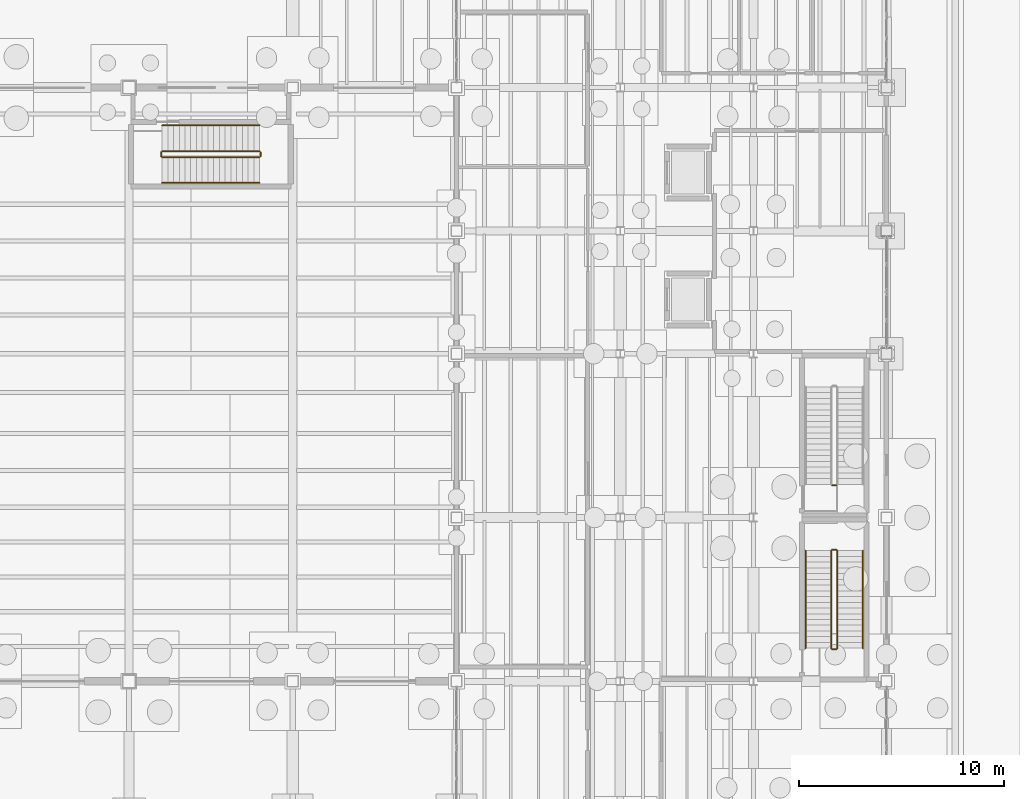
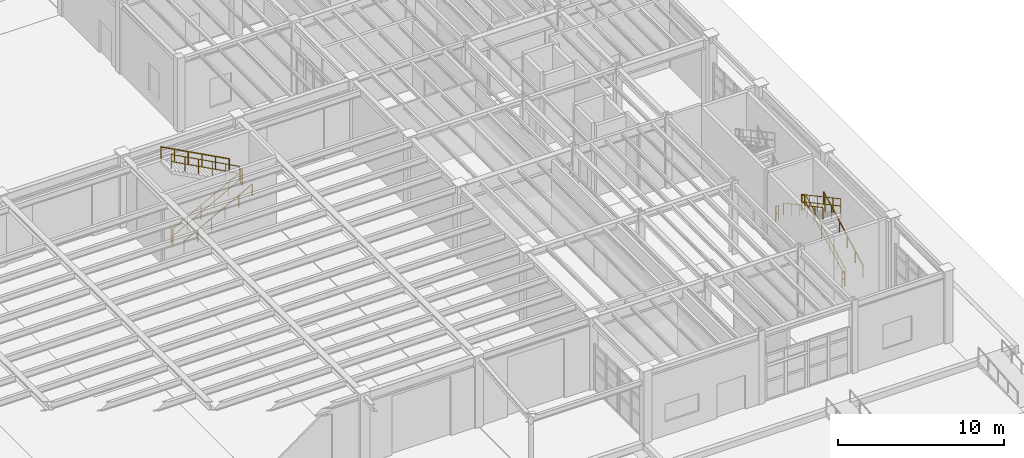
# One storey, part 83 of 86: 13 railings.
"""IFC4 building model written with IfcOpenShell, lengths in metres."""

from ifc_helpers import new_model, si_unit, direction, frame, origin, origin_2d, place, context, subcontext, project, spatial, circle, extrude, material, type_object, element, save


model = new_model("IFC4")

# Units and contexts
model_context = context("Model", 3, precision=1e-05, world=origin(), true_north=direction((0.0, 1.0)))
body_context = subcontext(model_context, "Body", "Model", "MODEL_VIEW")
ifc_project = project(units=[si_unit("LENGTHUNIT", "METRE"), si_unit("AREAUNIT", "SQUARE_METRE"), si_unit("VOLUMEUNIT", "CUBIC_METRE"), si_unit("PLANEANGLEUNIT", "RADIAN"), si_unit("MASSUNIT", "GRAM", prefix="KILO"), si_unit("THERMODYNAMICTEMPERATUREUNIT", "KELVIN"), si_unit("POWERUNIT", "WATT")], contexts=[model_context])

# Site, building, storey
site_placement = place(None, origin())
site = spatial("IfcSite", under=ifc_project, at=site_placement, CompositionType="ELEMENT")
building_placement = place(site_placement, origin())
building = spatial("IfcBuilding", under=site, at=building_placement, Name="Zhenchuan Central Fire Station", CompositionType="ELEMENT")
storey_placement = place(building_placement, frame((0.0, 0.0, 0.449951171875)))
storey = spatial("IfcBuildingStorey", under=building, at=storey_placement, Name="L01", CompositionType="ELEMENT", Elevation=0.449951171875)

# Railings
ifc_material_1 = material(Name="Galvanised powder-coated steel", Category="steel")
railing_type_1 = type_object("IfcRailingType", Name="RL-ST-GRD", PredefinedType="GUARDRAIL", material=ifc_material_1)
railing_1_placement = place(storey_placement, frame((125.6201171875, 32.10009765625, 0.150146484375)))
element("IfcRailing", 1, at=railing_1_placement, inside=storey, type_object=railing_type_1, Name="L01 ST-09 stair guard 1", PredefinedType="GUARDRAIL", context=body_context, shape_type="SweptSolid", body=[
    extrude(circle(Radius=0.02392578125, at=origin_2d()), frame((0.0, 0.0, 1.076171875), z_axis=(0.881485347215, 0.0, 0.472211374965), x_axis=(0.0, 1.0, 0.0)), (0.0, 0.0, 1.0), 5.399658203125),
    extrude(circle(Radius=0.02392578125, at=origin_2d()), frame((0.0, 0.0, 0.550048828125), z_axis=(0.881485347215, 0.0, 0.472211374965), x_axis=(0.0, 1.0, 0.0)), (0.0, 0.0, 1.0), 5.399658203125),
    extrude(circle(Radius=0.02099609375, at=origin_2d()), origin(), (0.0, 0.0, 1.0), 1.052001953125),
    extrude(circle(Radius=0.02099609375, at=origin_2d()), frame((0.951904296875, 0.0, 0.510009765625)), (0.0, 0.0, 1.0), 1.052001953125),
    extrude(circle(Radius=0.02099609375, at=origin_2d()), frame((1.90380859375, 0.0, 1.02001953125)), (0.0, 0.0, 1.0), 1.052001953125),
    extrude(circle(Radius=0.02099609375, at=origin_2d()), frame((2.85595703125, 0.0, 1.52978515625)), (0.0, 0.0, 1.0), 1.052001953125),
    extrude(circle(Radius=0.02099609375, at=origin_2d()), frame((3.807861328125, 0.0, 2.039794921875)), (0.0, 0.0, 1.0), 1.052001953125),
    extrude(circle(Radius=0.02099609375, at=origin_2d()), frame((4.759765625, 0.0, 2.5498046875)), (0.0, 0.0, 1.0), 1.052001953125),
])
railing_2_placement = place(storey_placement, frame((130.429931640625, 32.14990234375, 2.699951171875)))
element("IfcRailing", 2, at=railing_2_placement, inside=storey, type_object=railing_type_1, Name="L01 ST-09 stair guard 2", PredefinedType="GUARDRAIL", context=body_context, shape_type="SweptSolid", body=[
    extrude(circle(Radius=0.02392578125, at=origin_2d()), frame((0.0, 0.0, 1.076171875), z_axis=(0.0, 1.0, 0.0), x_axis=(-1.0, 0.0, 0.0)), (0.0, 0.0, 1.0), 0.2001953125),
    extrude(circle(Radius=0.02392578125, at=origin_2d()), frame((0.0, 0.0, 0.550048828125), z_axis=(0.0, 1.0, 0.0), x_axis=(-1.0, 0.0, 0.0)), (0.0, 0.0, 1.0), 0.2001953125),
    extrude(circle(Radius=0.02099609375, at=origin_2d()), origin(), (0.0, 0.0, 1.0), 1.052001953125),
    extrude(circle(Radius=0.02099609375, at=origin_2d()), frame((0.0, 0.2001953125, 0.0)), (0.0, 0.0, 1.0), 1.052001953125),
])
railing_3_placement = place(storey_placement, frame((130.3798828125, 32.39990234375, 2.85009765625)))
element("IfcRailing", 3, at=railing_3_placement, inside=storey, type_object=railing_type_1, Name="L01 ST-09 stair guard 3", PredefinedType="GUARDRAIL", context=body_context, shape_type="SweptSolid", body=[
    extrude(circle(Radius=0.02392578125, at=origin_2d()), frame((0.0, 0.0, 1.076171875), z_axis=(-0.881466526851, 0.0, 0.472246505589), x_axis=(0.0, -1.0, 0.0)), (0.0, 0.0, 1.0), 5.39990234375),
    extrude(circle(Radius=0.02392578125, at=origin_2d()), frame((0.0, 0.0, 0.550048828125), z_axis=(-0.881466526851, 0.0, 0.472246505589), x_axis=(0.0, -1.0, 0.0)), (0.0, 0.0, 1.0), 5.39990234375),
    extrude(circle(Radius=0.02099609375, at=origin_2d()), origin(), (0.0, 0.0, 1.0), 1.052001953125),
    extrude(circle(Radius=0.02099609375, at=origin_2d()), frame((-0.951904296875, 0.0, 0.510009765625)), (0.0, 0.0, 1.0), 1.052001953125),
    extrude(circle(Radius=0.02099609375, at=origin_2d()), frame((-1.90380859375, 0.0, 1.02001953125)), (0.0, 0.0, 1.0), 1.052001953125),
    extrude(circle(Radius=0.02099609375, at=origin_2d()), frame((-2.85595703125, 0.0, 1.530029296875)), (0.0, 0.0, 1.0), 1.052001953125),
    extrude(circle(Radius=0.02099609375, at=origin_2d()), frame((-3.807861328125, 0.0, 2.0400390625)), (0.0, 0.0, 1.0), 1.052001953125),
    extrude(circle(Radius=0.02099609375, at=origin_2d()), frame((-4.759765625, 0.0, 2.550048828125)), (0.0, 0.0, 1.0), 1.052001953125),
])
railing_4_placement = place(storey_placement, frame((125.570068359375, 32.14990234375, 0.0)))
element("IfcRailing", 4, at=railing_4_placement, inside=storey, type_object=railing_type_1, Name="L01 ST-09 stair guard 4", PredefinedType="GUARDRAIL", context=body_context, shape_type="SweptSolid", body=[
    extrude(circle(Radius=0.02392578125, at=origin_2d()), frame((0.0, 0.0, 1.076171875), z_axis=(0.0, 1.0, 0.0), x_axis=(-1.0, 0.0, 0.0)), (0.0, 0.0, 1.0), 0.2001953125),
    extrude(circle(Radius=0.02392578125, at=origin_2d()), frame((0.0, 0.0, 0.550048828125), z_axis=(0.0, 1.0, 0.0), x_axis=(-1.0, 0.0, 0.0)), (0.0, 0.0, 1.0), 0.2001953125),
    extrude(circle(Radius=0.02099609375, at=origin_2d()), origin(), (0.0, 0.0, 1.0), 1.052001953125),
    extrude(circle(Radius=0.02099609375, at=origin_2d()), frame((0.0, 0.2001953125, 0.0)), (0.0, 0.0, 1.0), 1.052001953125),
])
railing_5_placement = place(storey_placement, frame((158.60009765625, 8.1201171875, 0.150146484375)))
element("IfcRailing", 5, at=railing_5_placement, inside=storey, type_object=railing_type_1, Name="L01 ST-10 stair guard 1", PredefinedType="GUARDRAIL", context=body_context, shape_type="SweptSolid", body=[
    extrude(circle(Radius=0.02392578125, at=origin_2d()), frame((0.0, 0.0, 1.076171875), z_axis=(0.0, 0.881485347215, 0.472211374965), x_axis=(-1.0, 0.0, 0.0)), (0.0, 0.0, 1.0), 5.399658203125),
    extrude(circle(Radius=0.02392578125, at=origin_2d()), frame((0.0, 0.0, 0.550048828125), z_axis=(0.0, 0.881485347215, 0.472211374965), x_axis=(-1.0, 0.0, 0.0)), (0.0, 0.0, 1.0), 5.399658203125),
    extrude(circle(Radius=0.02099609375, at=origin_2d()), origin(), (0.0, 0.0, 1.0), 1.052001953125),
    extrude(circle(Radius=0.02099609375, at=origin_2d()), frame((0.0, 0.951904296875, 0.510009765625)), (0.0, 0.0, 1.0), 1.052001953125),
    extrude(circle(Radius=0.02099609375, at=origin_2d()), frame((0.0, 1.90380859375, 1.02001953125)), (0.0, 0.0, 1.0), 1.052001953125),
    extrude(circle(Radius=0.02099609375, at=origin_2d()), frame((0.0, 2.85595703125, 1.52978515625)), (0.0, 0.0, 1.0), 1.052001953125),
    extrude(circle(Radius=0.02099609375, at=origin_2d()), frame((0.0, 3.807861328125, 2.039794921875)), (0.0, 0.0, 1.0), 1.052001953125),
    extrude(circle(Radius=0.02099609375, at=origin_2d()), frame((0.0, 4.759765625, 2.5498046875)), (0.0, 0.0, 1.0), 1.052001953125),
])
railing_6_placement = place(storey_placement, frame((158.550048828125, 12.929931640625, 2.699951171875)))
element("IfcRailing", 6, at=railing_6_placement, inside=storey, type_object=railing_type_1, Name="L01 ST-10 stair guard 2", PredefinedType="GUARDRAIL", context=body_context, shape_type="SweptSolid", body=[
    extrude(circle(Radius=0.02392578125, at=origin_2d()), frame((0.0, 0.0, 1.076171875), z_axis=(-1.0, 0.0, 0.0), x_axis=(0.0, -1.0, 0.0)), (0.0, 0.0, 1.0), 0.199951171875),
    extrude(circle(Radius=0.02392578125, at=origin_2d()), frame((0.0, 0.0, 0.550048828125), z_axis=(-1.0, 0.0, 0.0), x_axis=(0.0, -1.0, 0.0)), (0.0, 0.0, 1.0), 0.199951171875),
    extrude(circle(Radius=0.02099609375, at=origin_2d()), origin(), (0.0, 0.0, 1.0), 1.052001953125),
    extrude(circle(Radius=0.02099609375, at=origin_2d()), frame((-0.199951171875, 0.0, 0.0)), (0.0, 0.0, 1.0), 1.052001953125),
])
railing_7_placement = place(storey_placement, frame((158.300048828125, 12.8798828125, 2.85009765625)))
element("IfcRailing", 7, at=railing_7_placement, inside=storey, type_object=railing_type_1, Name="L01 ST-10 stair guard 3", PredefinedType="GUARDRAIL", context=body_context, shape_type="SweptSolid", body=[
    extrude(circle(Radius=0.02392578125, at=origin_2d()), frame((0.0, 0.0, 1.076171875), z_axis=(0.0, -0.881466526851, 0.472246505589), x_axis=(1.0, 0.0, 0.0)), (0.0, 0.0, 1.0), 5.39990234375),
    extrude(circle(Radius=0.02392578125, at=origin_2d()), frame((0.0, 0.0, 0.550048828125), z_axis=(0.0, -0.881466526851, 0.472246505589), x_axis=(1.0, 0.0, 0.0)), (0.0, 0.0, 1.0), 5.39990234375),
    extrude(circle(Radius=0.02099609375, at=origin_2d()), origin(), (0.0, 0.0, 1.0), 1.052001953125),
    extrude(circle(Radius=0.02099609375, at=origin_2d()), frame((0.0, -0.951904296875, 0.510009765625)), (0.0, 0.0, 1.0), 1.052001953125),
    extrude(circle(Radius=0.02099609375, at=origin_2d()), frame((0.0, -1.90380859375, 1.02001953125)), (0.0, 0.0, 1.0), 1.052001953125),
    extrude(circle(Radius=0.02099609375, at=origin_2d()), frame((0.0, -2.85595703125, 1.530029296875)), (0.0, 0.0, 1.0), 1.052001953125),
    extrude(circle(Radius=0.02099609375, at=origin_2d()), frame((0.0, -3.807861328125, 2.0400390625)), (0.0, 0.0, 1.0), 1.052001953125),
    extrude(circle(Radius=0.02099609375, at=origin_2d()), frame((0.0, -4.759765625, 2.550048828125)), (0.0, 0.0, 1.0), 1.052001953125),
])
for number, where, name in (
    (8, (158.550048828125, 8.070068359375, 0.0), "L01 ST-10 stair guard 4"),
    (9, (158.550048828125, 16.070068359375, 0.0), "L01 ST-11 stair guard 4"),
):
    element("IfcRailing", number, at=place(storey_placement, frame(where)), inside=storey, type_object=railing_type_1, Name=name, PredefinedType="GUARDRAIL", context=body_context, shape_type="SweptSolid", body=[
        extrude(circle(Radius=0.02392578125, at=origin_2d()), frame((0.0, 0.0, 1.076171875), z_axis=(-1.0, 0.0, 0.0), x_axis=(0.0, -1.0, 0.0)), (0.0, 0.0, 1.0), 0.199951171875),
        extrude(circle(Radius=0.02392578125, at=origin_2d()), frame((0.0, 0.0, 0.550048828125), z_axis=(-1.0, 0.0, 0.0), x_axis=(0.0, -1.0, 0.0)), (0.0, 0.0, 1.0), 0.199951171875),
        extrude(circle(Radius=0.02099609375, at=origin_2d()), origin(), (0.0, 0.0, 1.0), 1.052001953125),
        extrude(circle(Radius=0.02099609375, at=origin_2d()), frame((-0.199951171875, 0.0, 0.0)), (0.0, 0.0, 1.0), 1.052001953125),
    ])
ifc_material_2 = material(Name="Brushed stainless steel handrail", Category="steel")
railing_type_2 = type_object("IfcRailingType", Name="RL-ST-HND", PredefinedType="HANDRAIL", material=ifc_material_2)
railing_8_placement = place(storey_placement, frame((125.6201171875, 30.85009765625, 0.150146484375)))
element("IfcRailing", 10, at=railing_8_placement, inside=storey, type_object=railing_type_2, Name="L01 ST-09 stair handrail 1", PredefinedType="HANDRAIL", context=body_context, shape_type="SweptSolid", body=[
    extrude(circle(Radius=0.02392578125, at=origin_2d()), frame((0.0, 0.0, 0.8759765625), z_axis=(0.881485347215, 0.0, 0.472211374965), x_axis=(0.0, 1.0, 0.0)), (0.0, 0.0, 1.0), 5.399658203125),
    extrude(circle(Radius=0.02099609375, at=origin_2d()), origin(), (0.0, 0.0, 1.0), 0.851806640625),
    extrude(circle(Radius=0.02099609375, at=origin_2d()), frame((0.951904296875, 0.0, 0.510009765625)), (0.0, 0.0, 1.0), 0.851806640625),
    extrude(circle(Radius=0.02099609375, at=origin_2d()), frame((1.90380859375, 0.0, 1.02001953125)), (0.0, 0.0, 1.0), 0.851806640625),
    extrude(circle(Radius=0.02099609375, at=origin_2d()), frame((2.85595703125, 0.0, 1.52978515625)), (0.0, 0.0, 1.0), 0.851806640625),
    extrude(circle(Radius=0.02099609375, at=origin_2d()), frame((3.807861328125, 0.0, 2.039794921875)), (0.0, 0.0, 1.0), 0.851806640625),
    extrude(circle(Radius=0.02099609375, at=origin_2d()), frame((4.759765625, 0.0, 2.5498046875)), (0.0, 0.0, 1.0), 0.851806640625),
])
railing_9_placement = place(storey_placement, frame((130.3798828125, 33.64990234375, 2.85009765625)))
element("IfcRailing", 11, at=railing_9_placement, inside=storey, type_object=railing_type_2, Name="L01 ST-09 stair handrail 2", PredefinedType="HANDRAIL", context=body_context, shape_type="SweptSolid", body=[
    extrude(circle(Radius=0.02392578125, at=origin_2d()), frame((0.0, 0.0, 0.8759765625), z_axis=(-0.881466526851, 0.0, 0.472246505589), x_axis=(0.0, -1.0, 0.0)), (0.0, 0.0, 1.0), 5.39990234375),
    extrude(circle(Radius=0.02099609375, at=origin_2d()), origin(), (0.0, 0.0, 1.0), 0.851806640625),
    extrude(circle(Radius=0.02099609375, at=origin_2d()), frame((-0.951904296875, 0.0, 0.510009765625)), (0.0, 0.0, 1.0), 0.851806640625),
    extrude(circle(Radius=0.02099609375, at=origin_2d()), frame((-1.90380859375, 0.0, 1.02001953125)), (0.0, 0.0, 1.0), 0.851806640625),
    extrude(circle(Radius=0.02099609375, at=origin_2d()), frame((-2.85595703125, 0.0, 1.530029296875)), (0.0, 0.0, 1.0), 0.851806640625),
    extrude(circle(Radius=0.02099609375, at=origin_2d()), frame((-3.807861328125, 0.0, 2.0400390625)), (0.0, 0.0, 1.0), 0.851806640625),
    extrude(circle(Radius=0.02099609375, at=origin_2d()), frame((-4.759765625, 0.0, 2.550048828125)), (0.0, 0.0, 1.0), 0.851806640625),
])
railing_10_placement = place(storey_placement, frame((159.85009765625, 8.1201171875, 0.150146484375)))
element("IfcRailing", 12, at=railing_10_placement, inside=storey, type_object=railing_type_2, Name="L01 ST-10 stair handrail 1", PredefinedType="HANDRAIL", context=body_context, shape_type="SweptSolid", body=[
    extrude(circle(Radius=0.02392578125, at=origin_2d()), frame((0.0, 0.0, 0.8759765625), z_axis=(0.0, 0.881485347215, 0.472211374965), x_axis=(-1.0, 0.0, 0.0)), (0.0, 0.0, 1.0), 5.399658203125),
    extrude(circle(Radius=0.02099609375, at=origin_2d()), origin(), (0.0, 0.0, 1.0), 0.851806640625),
    extrude(circle(Radius=0.02099609375, at=origin_2d()), frame((0.0, 0.951904296875, 0.510009765625)), (0.0, 0.0, 1.0), 0.851806640625),
    extrude(circle(Radius=0.02099609375, at=origin_2d()), frame((0.0, 1.90380859375, 1.02001953125)), (0.0, 0.0, 1.0), 0.851806640625),
    extrude(circle(Radius=0.02099609375, at=origin_2d()), frame((0.0, 2.85595703125, 1.52978515625)), (0.0, 0.0, 1.0), 0.851806640625),
    extrude(circle(Radius=0.02099609375, at=origin_2d()), frame((0.0, 3.807861328125, 2.039794921875)), (0.0, 0.0, 1.0), 0.851806640625),
    extrude(circle(Radius=0.02099609375, at=origin_2d()), frame((0.0, 4.759765625, 2.5498046875)), (0.0, 0.0, 1.0), 0.851806640625),
])
railing_11_placement = place(storey_placement, frame((157.050048828125, 12.8798828125, 2.85009765625)))
element("IfcRailing", 13, at=railing_11_placement, inside=storey, type_object=railing_type_2, Name="L01 ST-10 stair handrail 2", PredefinedType="HANDRAIL", context=body_context, shape_type="SweptSolid", body=[
    extrude(circle(Radius=0.02392578125, at=origin_2d()), frame((0.0, 0.0, 0.8759765625), z_axis=(0.0, -0.881466526851, 0.472246505589), x_axis=(1.0, 0.0, 0.0)), (0.0, 0.0, 1.0), 5.39990234375),
    extrude(circle(Radius=0.02099609375, at=origin_2d()), origin(), (0.0, 0.0, 1.0), 0.851806640625),
    extrude(circle(Radius=0.02099609375, at=origin_2d()), frame((0.0, -0.951904296875, 0.510009765625)), (0.0, 0.0, 1.0), 0.851806640625),
    extrude(circle(Radius=0.02099609375, at=origin_2d()), frame((0.0, -1.90380859375, 1.02001953125)), (0.0, 0.0, 1.0), 0.851806640625),
    extrude(circle(Radius=0.02099609375, at=origin_2d()), frame((0.0, -2.85595703125, 1.530029296875)), (0.0, 0.0, 1.0), 0.851806640625),
    extrude(circle(Radius=0.02099609375, at=origin_2d()), frame((0.0, -3.807861328125, 2.0400390625)), (0.0, 0.0, 1.0), 0.851806640625),
    extrude(circle(Radius=0.02099609375, at=origin_2d()), frame((0.0, -4.759765625, 2.550048828125)), (0.0, 0.0, 1.0), 0.851806640625),
])

save(model, "model.ifc")
